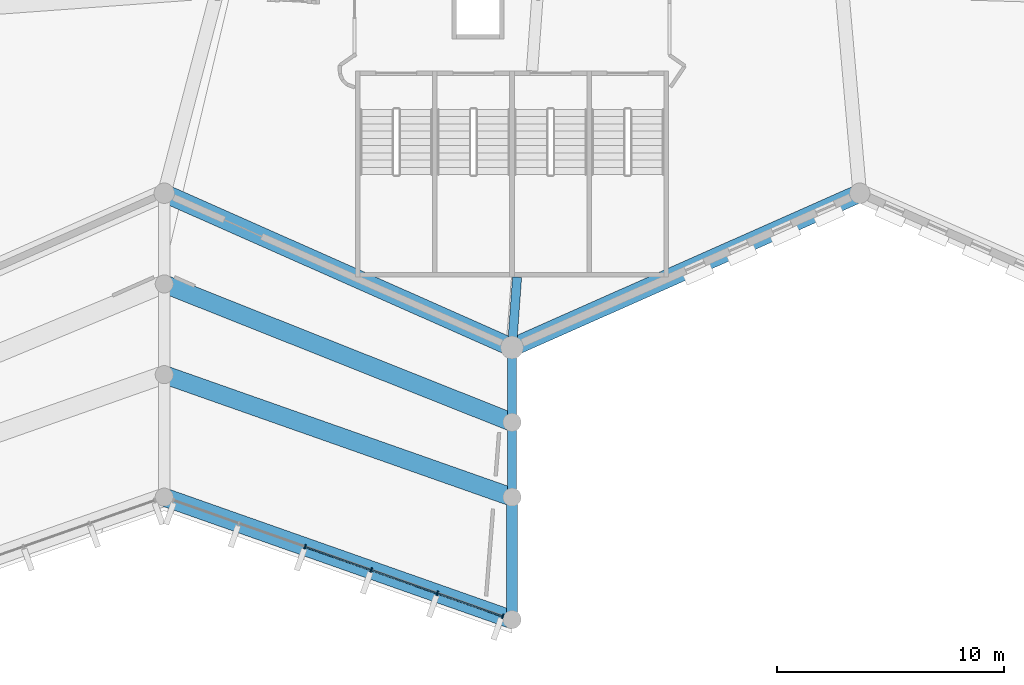
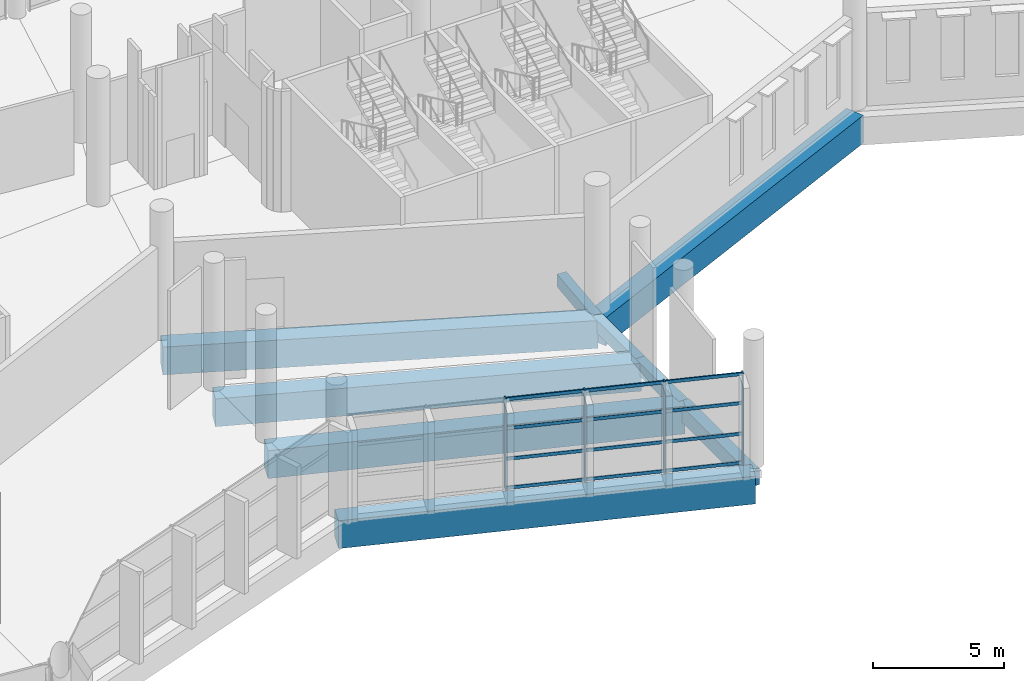
# One storey, part 15 of 249: 16 members, 9 beams, 1 element without a shape of its own.
"""IFC4 building model written with IfcOpenShell, lengths in metres."""

from ifc_helpers import new_model, si_unit, direction, frame, origin, origin_2d, place, context, subcontext, project, spatial, rectangle, extrude, material, layer, layer_set, material_profile, profile_set, type_object, element, aggregate, save


model = new_model("IFC4")

# Units and contexts
model_context = context("Model", 3, precision=1e-05, world=origin(), true_north=direction((0.0, 1.0)))
body_context = subcontext(model_context, "Body", "Model", "MODEL_VIEW")
ifc_project = project(units=[si_unit("LENGTHUNIT", "METRE"), si_unit("AREAUNIT", "SQUARE_METRE"), si_unit("VOLUMEUNIT", "CUBIC_METRE"), si_unit("PLANEANGLEUNIT", "RADIAN"), si_unit("MASSUNIT", "GRAM", prefix="KILO")], contexts=[model_context])

# Site, building, storey
site_placement = place(None, origin())
site = spatial("IfcSite", under=ifc_project, at=site_placement, CompositionType="ELEMENT")
building_placement = place(site_placement, origin())
building = spatial("IfcBuilding", under=site, at=building_placement, Name="Meseta Stadium", CompositionType="ELEMENT")
storey_placement = place(building_placement, frame((0.0, 0.0, 12.0)))
storey = spatial("IfcBuildingStorey", under=building, at=storey_placement, Name="L02", CompositionType="ELEMENT", Elevation=12.0)

# Beams
ifc_material_1 = material(Name="Concrete C40/50", Category="concrete")
ifc_material_profile_1 = material_profile(ifc_material_1, rectangle(XDim=0.39990234375, YDim=0.60009765625, at=origin_2d()), Name="RC 400x600")
ifc_profile_set_1 = profile_set([ifc_material_profile_1], Name="Concrete C40/50")
beam_type_1 = type_object("IfcBeamType", Name="RC beam 400x600", PredefinedType="BEAM", material=ifc_profile_set_1)
beam_1_placement = place(storey_placement, frame((-7.44189453125, -102.300048828125, -0.64990234375), z_axis=(-0.072346739974, -0.997379541205, 0.0), x_axis=(0.997379541205, -0.072346739974, 0.0)))
element("IfcBeam", 1, at=beam_1_placement, inside=storey, type_object=beam_type_1, Name="L02 radial beam frame 46 line P to R", PredefinedType="BEAM", context=body_context, shape_type="SweptSolid", body=[
    extrude(rectangle(XDim=0.39990234375, YDim=0.60009765625, at=origin_2d()), origin(), (0.0, 0.0, 1.0), 3.10791015625),
])
for number, where, z_axis, x_axis, name in (
    (2, (-7.666748046875, -105.39990234375, -0.64990234375), (0.0, -1.0, 0.0), (1.0, 0.0, 0.0), "L02 radial beam frame 46 line R to M"),
    (3, (-7.666748046875, -108.699951171875, -0.64990234375), (0.0, -1.0, 0.0), (1.0, 0.0, 0.0), "L02 radial beam frame 46 line M to Q"),
):
    element("IfcBeam", number, at=place(storey_placement, frame(where, z_axis=z_axis, x_axis=x_axis)), inside=storey, type_object=beam_type_1, Name=name, PredefinedType="BEAM", context=body_context, shape_type="SweptSolid", body=[
        extrude(rectangle(XDim=0.39990234375, YDim=0.60009765625, at=origin_2d()), origin(), (0.0, 0.0, 1.0), 3.300048828125),
    ])
ifc_material_2 = material(Name="Concrete C40/50", Category="concrete")
ifc_material_profile_2 = material_profile(ifc_material_2, rectangle(XDim=0.5, YDim=0.75, at=origin_2d()), Name="RC 500x750")
ifc_profile_set_2 = profile_set([ifc_material_profile_2], Name="Concrete C40/50")
beam_type_2 = type_object("IfcBeamType", Name="RC beam 500x750", PredefinedType="BEAM", material=ifc_profile_set_2)
beam_2_placement = place(storey_placement, frame((-7.666748046875, -112.0, -0.72509765625), z_axis=(0.0, -1.0, 0.0), x_axis=(1.0, 0.0, 0.0)))
element("IfcBeam", 4, at=beam_2_placement, inside=storey, type_object=beam_type_2, Name="L02 radial beam frame 46 line Q to O", PredefinedType="BEAM", context=body_context, shape_type="SweptSolid", body=[
    extrude(rectangle(XDim=0.5, YDim=0.75, at=origin_2d()), origin(), (0.0, 0.0, 1.0), 5.39990234375),
])
ifc_material_3 = material(Name="Concrete C40/50", Category="concrete")
ifc_material_profile_3 = material_profile(ifc_material_3, rectangle(XDim=0.800048828125, YDim=1.300048828125, at=origin_2d()), Name="RC 800x1300")
ifc_profile_set_3 = profile_set([ifc_material_profile_3], Name="Concrete C40/50")
beam_type_3 = type_object("IfcBeamType", Name="RC beam 800x1300", PredefinedType="BEAM", material=ifc_profile_set_3)
beam_3_placement = place(storey_placement, frame((-23.0, -98.60009765625, -1.0), z_axis=(0.914142564088, -0.405392861953, 0.0), x_axis=(0.405392861953, 0.914142564088, 0.0)))
element("IfcBeam", 5, at=beam_3_placement, inside=storey, type_object=beam_type_3, Name="L02 ring beam frame 45 line R", PredefinedType="BEAM", context=body_context, shape_type="SweptSolid", body=[
    extrude(rectangle(XDim=0.800048828125, YDim=1.300048828125, at=origin_2d()), origin(), (0.0, 0.0, 1.0), 16.7734375),
])
beam_4_placement = place(storey_placement, frame((-7.666748046875, -105.39990234375, -1.0), z_axis=(0.914144956099, 0.405387468033, 0.0), x_axis=(-0.405387468033, 0.914144956099, 0.0)))
element("IfcBeam", 6, at=beam_4_placement, inside=storey, type_object=beam_type_3, Name="L02 ring beam frame 46 line R", PredefinedType="BEAM", context=body_context, shape_type="SweptSolid", body=[
    extrude(rectangle(XDim=0.800048828125, YDim=1.300048828125, at=origin_2d()), origin(), (0.0, 0.0, 1.0), 16.773681640625),
])
beam_5_placement = place(storey_placement, frame((-23.0, -102.60009765625, -1.0), z_axis=(0.929173963419, -0.369642727108, 0.0), x_axis=(0.369642727108, 0.929173963419, 0.0)))
element("IfcBeam", 7, at=beam_5_placement, inside=storey, type_object=beam_type_3, Name="L02 ring beam frame 45 line M", PredefinedType="BEAM", context=body_context, shape_type="SweptSolid", body=[
    extrude(rectangle(XDim=0.800048828125, YDim=1.300048828125, at=origin_2d()), origin(), (0.0, 0.0, 1.0), 16.501953125),
])
for number, where, z_axis, x_axis, name in (
    (8, (-23.0, -106.60009765625, -1.0), (0.943218573019, -0.332172731439, 0.0), (0.332172731439, 0.943218573019, 0.0), "L02 ring beam frame 45 line Q"),
    (9, (-23.0, -112.0, -1.0), (0.943218573019, -0.332172731439, 0.0), (0.332172731439, 0.943218573019, 0.0), "L02 ring beam frame 45 line O"),
):
    element("IfcBeam", number, at=place(storey_placement, frame(where, z_axis=z_axis, x_axis=x_axis)), inside=storey, type_object=beam_type_3, Name=name, PredefinedType="BEAM", context=body_context, shape_type="SweptSolid", body=[
        extrude(rectangle(XDim=0.800048828125, YDim=1.300048828125, at=origin_2d()), origin(), (0.0, 0.0, 1.0), 16.25634765625),
    ])

# Curtain wall, members
ifc_material_4 = material(Name="Aluminium", Category="aluminium")
ifc_layer = layer(ifc_material_4, 0.199951171875)
ifc_layer_set = layer_set([ifc_layer], Name="Ring shopfront curtain wall")
curtain_wall_type = type_object("IfcCurtainWallType", Name="Ring shopfront curtain wall", PredefinedType="NOTDEFINED", material=ifc_layer_set)
curtain_wall_placement = place(storey_placement, origin())
curtain_wall = element("IfcCurtainWall", 10, at=curtain_wall_placement, inside=storey, type_object=curtain_wall_type, Name="Ring glazing L02 F45", PredefinedType="NOTDEFINED")
ifc_material_5 = material(Name="Aluminium", Category="aluminium")
ifc_material_profile_4 = material_profile(ifc_material_5, rectangle(XDim=0.199951171875, YDim=0.06005859375, at=origin_2d()), Name="CW 200x60")
ifc_profile_set_4 = profile_set([ifc_material_profile_4], Name="Aluminium")
member_type_1 = type_object("IfcMemberType", Name="Ring CW mullion 60x200", PredefinedType="MULLION", material=ifc_profile_set_4)
member_1_placement = place(storey_placement, frame((-16.791259765625, -114.1865234375, 0.0), z_axis=(0.0, 0.0, 1.0), x_axis=(0.332174330154, 0.943218009999, 0.0)))
member_1 = element("IfcMember", 11, at=member_1_placement, type_object=member_type_1, Name="CWR1 mullion 3", PredefinedType="MULLION", context=body_context, shape_type="SweptSolid", body=[
    extrude(rectangle(XDim=0.199951171875, YDim=0.06005859375, at=origin_2d()), origin(), (0.0, 0.0, 1.0), 4.300048828125),
])
member_2_placement = place(storey_placement, frame((-13.87548828125, -115.21337890625, 0.0), z_axis=(0.0, 0.0, 1.0), x_axis=(0.332174330154, 0.943218009999, 0.0)))
member_2 = element("IfcMember", 12, at=member_2_placement, type_object=member_type_1, Name="CWR1 mullion 4", PredefinedType="MULLION", context=body_context, shape_type="SweptSolid", body=[
    extrude(rectangle(XDim=0.199951171875, YDim=0.06005859375, at=origin_2d()), origin(), (0.0, 0.0, 1.0), 4.300048828125),
])
member_3_placement = place(storey_placement, frame((-10.959716796875, -116.240234375, 0.0), z_axis=(0.0, 0.0, 1.0), x_axis=(0.332174330154, 0.943218009999, 0.0)))
member_3 = element("IfcMember", 13, at=member_3_placement, type_object=member_type_1, Name="CWR1 mullion 5", PredefinedType="MULLION", context=body_context, shape_type="SweptSolid", body=[
    extrude(rectangle(XDim=0.199951171875, YDim=0.06005859375, at=origin_2d()), origin(), (0.0, 0.0, 1.0), 4.300048828125),
])
member_4_placement = place(storey_placement, frame((-8.072265625, -117.257080078125, 0.0), z_axis=(0.0, 0.0, 1.0), x_axis=(0.332174330154, 0.943218009999, 0.0)))
member_4 = element("IfcMember", 14, at=member_4_placement, type_object=member_type_1, Name="CWR1 mullion 6", PredefinedType="MULLION", context=body_context, shape_type="SweptSolid", body=[
    extrude(rectangle(XDim=0.199951171875, YDim=0.06005859375, at=origin_2d()), origin(), (0.0, 0.0, 1.0), 4.300048828125),
])
ifc_material_6 = material(Name="Aluminium", Category="aluminium")
ifc_material_profile_5 = material_profile(ifc_material_6, rectangle(XDim=0.06005859375, YDim=0.14990234375, at=origin_2d()), Name="CW 60x150")
ifc_profile_set_5 = profile_set([ifc_material_profile_5], Name="Aluminium")
member_type_2 = type_object("IfcMemberType", Name="Ring CW transom 60x150", PredefinedType="USERDEFINED", material=ifc_profile_set_5)
member_5_placement = place(storey_placement, frame((-16.762939453125, -114.196533203125, 0.074951171875), z_axis=(0.943225032885, -0.332154387808, 0.0), x_axis=(0.332154387808, 0.943225032885, 0.0)))
member_5 = element("IfcMember", 15, at=member_5_placement, type_object=member_type_2, Name="CWR1 transom 3.1", ObjectType="TRANSOM", PredefinedType="USERDEFINED", context=body_context, shape_type="SweptSolid", body=[
    extrude(rectangle(XDim=0.06005859375, YDim=0.14990234375, at=origin_2d()), origin(), (0.0, 0.0, 1.0), 3.03125),
])
member_6_placement = place(storey_placement, frame((-16.762939453125, -114.196533203125, 1.433349609375), z_axis=(0.943225032885, -0.332154387808, 0.0), x_axis=(0.332154387808, 0.943225032885, 0.0)))
member_6 = element("IfcMember", 16, at=member_6_placement, type_object=member_type_2, Name="CWR1 transom 3.2", ObjectType="TRANSOM", PredefinedType="USERDEFINED", context=body_context, shape_type="SweptSolid", body=[
    extrude(rectangle(XDim=0.06005859375, YDim=0.14990234375, at=origin_2d()), origin(), (0.0, 0.0, 1.0), 3.03125),
])
member_7_placement = place(storey_placement, frame((-16.762939453125, -114.196533203125, 2.86669921875), z_axis=(0.943225032885, -0.332154387808, 0.0), x_axis=(0.332154387808, 0.943225032885, 0.0)))
member_7 = element("IfcMember", 17, at=member_7_placement, type_object=member_type_2, Name="CWR1 transom 3.3", ObjectType="TRANSOM", PredefinedType="USERDEFINED", context=body_context, shape_type="SweptSolid", body=[
    extrude(rectangle(XDim=0.06005859375, YDim=0.14990234375, at=origin_2d()), origin(), (0.0, 0.0, 1.0), 3.03125),
])
member_8_placement = place(storey_placement, frame((-16.762939453125, -114.196533203125, 4.22509765625), z_axis=(0.943225032885, -0.332154387808, 0.0), x_axis=(0.332154387808, 0.943225032885, 0.0)))
member_8 = element("IfcMember", 18, at=member_8_placement, type_object=member_type_2, Name="CWR1 transom 3.4", ObjectType="TRANSOM", PredefinedType="USERDEFINED", context=body_context, shape_type="SweptSolid", body=[
    extrude(rectangle(XDim=0.06005859375, YDim=0.14990234375, at=origin_2d()), origin(), (0.0, 0.0, 1.0), 3.03125),
])
member_9_placement = place(storey_placement, frame((-13.84716796875, -115.223388671875, 0.074951171875), z_axis=(0.943225032885, -0.332154387808, 0.0), x_axis=(0.332154387808, 0.943225032885, 0.0)))
member_9 = element("IfcMember", 19, at=member_9_placement, type_object=member_type_2, Name="CWR1 transom 4.1", ObjectType="TRANSOM", PredefinedType="USERDEFINED", context=body_context, shape_type="SweptSolid", body=[
    extrude(rectangle(XDim=0.06005859375, YDim=0.14990234375, at=origin_2d()), origin(), (0.0, 0.0, 1.0), 3.03125),
])
member_10_placement = place(storey_placement, frame((-13.84716796875, -115.223388671875, 1.433349609375), z_axis=(0.943225032885, -0.332154387808, 0.0), x_axis=(0.332154387808, 0.943225032885, 0.0)))
member_10 = element("IfcMember", 20, at=member_10_placement, type_object=member_type_2, Name="CWR1 transom 4.2", ObjectType="TRANSOM", PredefinedType="USERDEFINED", context=body_context, shape_type="SweptSolid", body=[
    extrude(rectangle(XDim=0.06005859375, YDim=0.14990234375, at=origin_2d()), origin(), (0.0, 0.0, 1.0), 3.03125),
])
member_11_placement = place(storey_placement, frame((-13.84716796875, -115.223388671875, 2.86669921875), z_axis=(0.943225032885, -0.332154387808, 0.0), x_axis=(0.332154387808, 0.943225032885, 0.0)))
member_11 = element("IfcMember", 21, at=member_11_placement, type_object=member_type_2, Name="CWR1 transom 4.3", ObjectType="TRANSOM", PredefinedType="USERDEFINED", context=body_context, shape_type="SweptSolid", body=[
    extrude(rectangle(XDim=0.06005859375, YDim=0.14990234375, at=origin_2d()), origin(), (0.0, 0.0, 1.0), 3.03125),
])
member_12_placement = place(storey_placement, frame((-13.84716796875, -115.223388671875, 4.22509765625), z_axis=(0.943225032885, -0.332154387808, 0.0), x_axis=(0.332154387808, 0.943225032885, 0.0)))
member_12 = element("IfcMember", 22, at=member_12_placement, type_object=member_type_2, Name="CWR1 transom 4.4", ObjectType="TRANSOM", PredefinedType="USERDEFINED", context=body_context, shape_type="SweptSolid", body=[
    extrude(rectangle(XDim=0.06005859375, YDim=0.14990234375, at=origin_2d()), origin(), (0.0, 0.0, 1.0), 3.03125),
])
member_13_placement = place(storey_placement, frame((-10.931396484375, -116.250244140625, 0.074951171875), z_axis=(0.943228878245, -0.332143467863, 0.0), x_axis=(0.332143467863, 0.943228878245, 0.0)))
member_13 = element("IfcMember", 23, at=member_13_placement, type_object=member_type_2, Name="CWR1 transom 5.1", ObjectType="TRANSOM", PredefinedType="USERDEFINED", context=body_context, shape_type="SweptSolid", body=[
    extrude(rectangle(XDim=0.06005859375, YDim=0.14990234375, at=origin_2d()), origin(), (0.0, 0.0, 1.0), 3.001220703125),
])
member_14_placement = place(storey_placement, frame((-10.931396484375, -116.250244140625, 1.433349609375), z_axis=(0.943228878245, -0.332143467863, 0.0), x_axis=(0.332143467863, 0.943228878245, 0.0)))
member_14 = element("IfcMember", 24, at=member_14_placement, type_object=member_type_2, Name="CWR1 transom 5.2", ObjectType="TRANSOM", PredefinedType="USERDEFINED", context=body_context, shape_type="SweptSolid", body=[
    extrude(rectangle(XDim=0.06005859375, YDim=0.14990234375, at=origin_2d()), origin(), (0.0, 0.0, 1.0), 3.001220703125),
])
member_15_placement = place(storey_placement, frame((-10.931396484375, -116.250244140625, 2.86669921875), z_axis=(0.943228878245, -0.332143467863, 0.0), x_axis=(0.332143467863, 0.943228878245, 0.0)))
member_15 = element("IfcMember", 25, at=member_15_placement, type_object=member_type_2, Name="CWR1 transom 5.3", ObjectType="TRANSOM", PredefinedType="USERDEFINED", context=body_context, shape_type="SweptSolid", body=[
    extrude(rectangle(XDim=0.06005859375, YDim=0.14990234375, at=origin_2d()), origin(), (0.0, 0.0, 1.0), 3.001220703125),
])
member_16_placement = place(storey_placement, frame((-10.931396484375, -116.250244140625, 4.22509765625), z_axis=(0.943228878245, -0.332143467863, 0.0), x_axis=(0.332143467863, 0.943228878245, 0.0)))
member_16 = element("IfcMember", 26, at=member_16_placement, type_object=member_type_2, Name="CWR1 transom 5.4", ObjectType="TRANSOM", PredefinedType="USERDEFINED", context=body_context, shape_type="SweptSolid", body=[
    extrude(rectangle(XDim=0.06005859375, YDim=0.14990234375, at=origin_2d()), origin(), (0.0, 0.0, 1.0), 3.001220703125),
])
aggregate(curtain_wall, [member_1, member_2, member_3, member_4, member_5, member_6, member_7, member_8, member_9, member_10, member_11, member_12, member_13, member_14, member_15, member_16])

save(model, "model.ifc")
